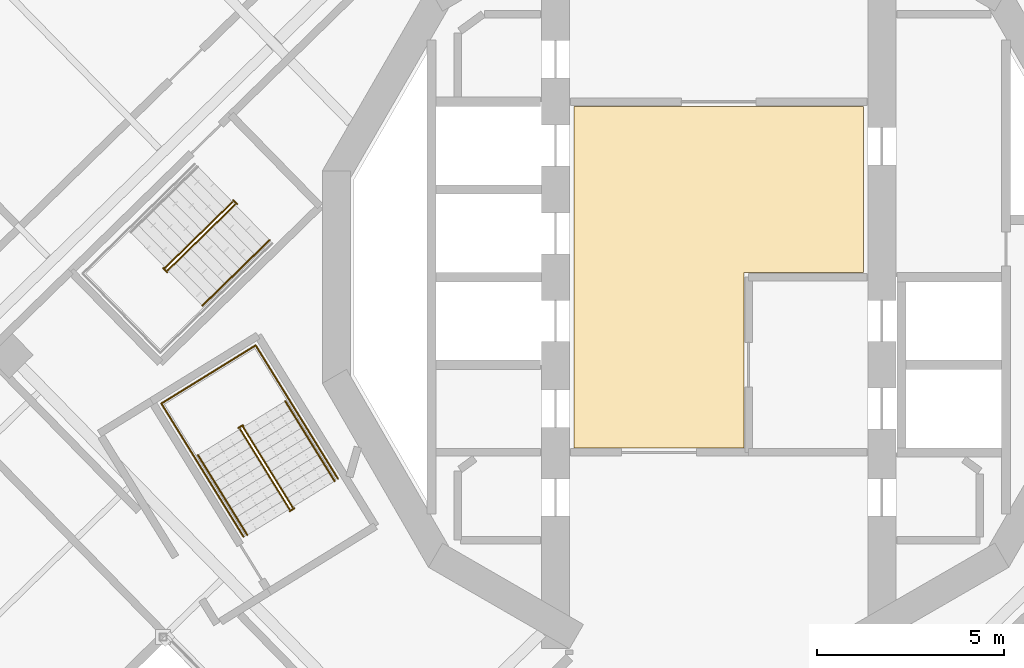
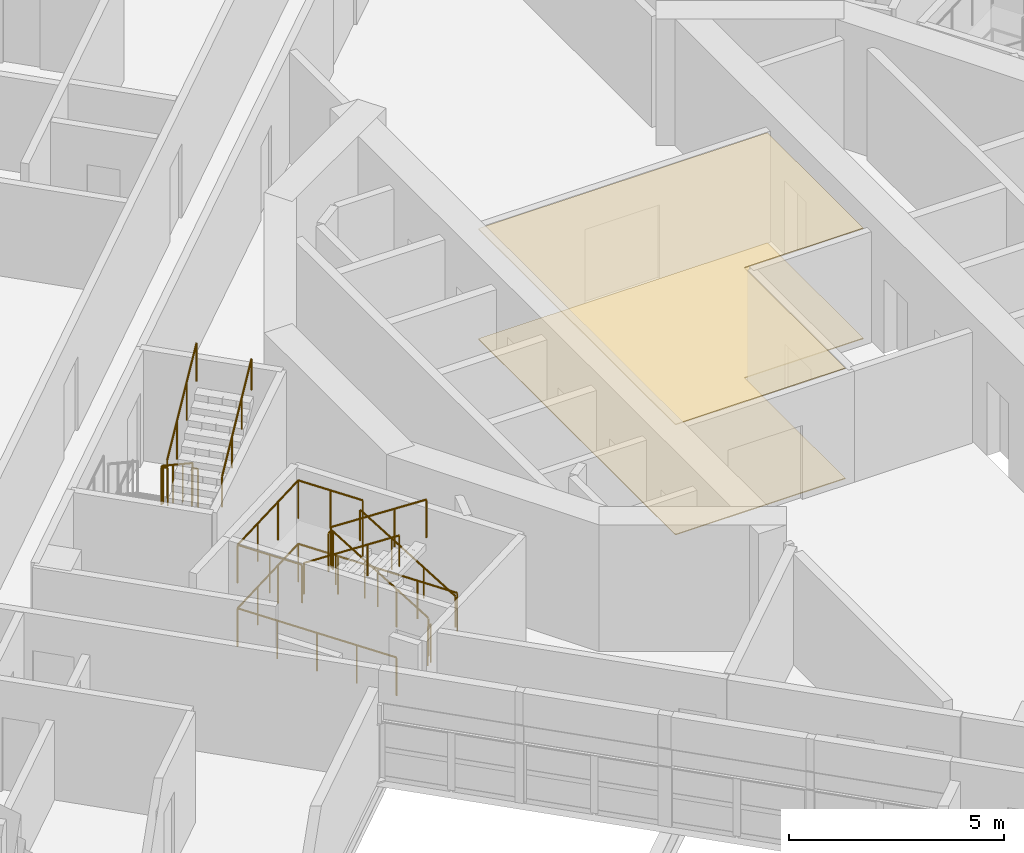
# One storey, part 15 of 19: 11 railings, 2 coverings.
"""IFC4 building model written with IfcOpenShell, lengths in metres."""

from ifc_helpers import new_model, si_unit, direction, frame, origin, origin_2d, place, context, subcontext, project, spatial, polyline, circle, outline, extrude, material, layer, layer_set, type_object, element, save


model = new_model("IFC4")

# Units and contexts
model_context = context("Model", 3, precision=1e-05, world=origin(), true_north=direction((0.0, 1.0)))
body_context = subcontext(model_context, "Body", "Model", "MODEL_VIEW")
ifc_project = project(units=[si_unit("LENGTHUNIT", "METRE"), si_unit("AREAUNIT", "SQUARE_METRE"), si_unit("VOLUMEUNIT", "CUBIC_METRE"), si_unit("PLANEANGLEUNIT", "RADIAN"), si_unit("MASSUNIT", "GRAM", prefix="KILO")], contexts=[model_context])

# Site, building, storey
site_placement = place(None, origin())
site = spatial("IfcSite", under=ifc_project, at=site_placement, CompositionType="ELEMENT")
building_placement = place(site_placement, origin())
building = spatial("IfcBuilding", under=site, at=building_placement, Name="Cantera Rosa Tower", CompositionType="ELEMENT")
storey_placement = place(building_placement, frame((0.0, 0.0, 241.39990234375)))
storey = spatial("IfcBuildingStorey", under=building, at=storey_placement, Name="L53", CompositionType="ELEMENT", Elevation=241.39990234375)

# Railings
ifc_material_1 = material(Name="Steel S355J2 (EN 10025-2)", Category="steel")
railing_type_1 = type_object("IfcRailingType", Name="STAIR GUARD 1100", PredefinedType="GUARDRAIL", material=ifc_material_1)
railing_1_placement = place(storey_placement, frame((-13.032958984375, 2.013427734375, 0.18017578125)))
element("IfcRailing", 1, at=railing_1_placement, inside=storey, type_object=railing_type_1, Name="L53 ST-43 stair guard 1", PredefinedType="GUARDRAIL", context=body_context, shape_type="SweptSolid", body=[
    extrude(circle(Radius=0.02392578125, at=origin_2d()), frame((0.0, 0.0, 1.076171875), z_axis=(-0.60169873645, -0.587844099419, 0.540738333515), x_axis=(0.698823692472, -0.715293958342, 0.0)), (0.0, 0.0, 1.0), 2.99560546875),
    extrude(circle(Radius=0.02392578125, at=origin_2d()), frame((-1.802490234375, -1.760986328125, 2.69580078125), z_axis=(-0.956987977523, -0.290127576896, 0.0), x_axis=(0.290127576896, -0.956987977523, 0.0)), (0.0, 0.0, 1.0), 0.056396484375),
    extrude(circle(Radius=0.02392578125, at=origin_2d()), frame((-1.8564453125, -1.77734375, 2.69580078125), z_axis=(0.698932947801, -0.715187202401, 0.0), x_axis=(0.715187202401, 0.698932947801, 0.0)), (0.0, 0.0, 1.0), 0.150146484375),
    extrude(circle(Radius=0.02099609375, at=origin_2d()), origin(), (0.0, 0.0, 1.0), 1.052001953125),
    extrude(circle(Radius=0.02099609375, at=origin_2d()), frame((-0.600830078125, -0.5869140625, 0.5400390625)), (0.0, 0.0, 1.0), 1.052001953125),
    extrude(circle(Radius=0.02099609375, at=origin_2d()), frame((-1.20166015625, -1.174072265625, 1.079833984375)), (0.0, 0.0, 1.0), 1.052001953125),
    extrude(circle(Radius=0.02099609375, at=origin_2d()), frame((-1.802490234375, -1.760986328125, 1.619873046875)), (0.0, 0.0, 1.0), 1.052001953125),
    extrude(circle(Radius=0.02099609375, at=origin_2d()), frame((-1.8564453125, -1.77734375, 1.619873046875)), (0.0, 0.0, 1.0), 1.052001953125),
    extrude(circle(Radius=0.02099609375, at=origin_2d()), frame((-1.75146484375, -1.884765625, 1.619873046875)), (0.0, 0.0, 1.0), 1.052001953125),
])
railing_2_placement = place(storey_placement, frame((-14.766845703125, 0.182373046875, 1.97998046875)))
element("IfcRailing", 2, at=railing_2_placement, inside=storey, type_object=railing_type_1, Name="L53 ST-43 stair guard 2", PredefinedType="GUARDRAIL", context=body_context, shape_type="SweptSolid", body=[
    extrude(circle(Radius=0.02392578125, at=origin_2d()), frame((0.0, 0.0, 1.076171875), z_axis=(0.601672219931, 0.587818193466, 0.54079599776), x_axis=(-0.698823692472, 0.715293958342, 0.0)), (0.0, 0.0, 1.0), 2.995849609375),
    extrude(circle(Radius=0.02099609375, at=origin_2d()), origin(), (0.0, 0.0, 1.0), 1.052001953125),
    extrude(circle(Radius=0.02099609375, at=origin_2d()), frame((0.600830078125, 0.5869140625, 0.5400390625)), (0.0, 0.0, 1.0), 1.052001953125),
    extrude(circle(Radius=0.02099609375, at=origin_2d()), frame((1.20166015625, 1.174072265625, 1.080078125)), (0.0, 0.0, 1.0), 1.052001953125),
    extrude(circle(Radius=0.02099609375, at=origin_2d()), frame((1.802490234375, 1.760986328125, 1.6201171875)), (0.0, 0.0, 1.0), 1.052001953125),
])
railing_3_placement = place(storey_placement, frame((-13.01513671875, 2.06689453125, 0.0)))
element("IfcRailing", 3, at=railing_3_placement, inside=storey, type_object=railing_type_1, Name="L53 ST-43 stair guard 3", PredefinedType="GUARDRAIL", context=body_context, shape_type="SweptSolid", body=[
    extrude(circle(Radius=0.02392578125, at=origin_2d()), frame((0.0, 0.0, 1.076171875), z_axis=(0.698914008722, -0.715205710557, 0.0), x_axis=(0.715205710557, 0.698914008722, 0.0)), (0.0, 0.0, 1.0), 0.14990234375),
    extrude(circle(Radius=0.02099609375, at=origin_2d()), origin(), (0.0, 0.0, 1.0), 1.052001953125),
    extrude(circle(Radius=0.02099609375, at=origin_2d()), frame((0.104736328125, -0.107177734375, 0.0)), (0.0, 0.0, 1.0), 1.052001953125),
])
railing_4_placement = place(storey_placement, frame((-11.42333984375, -6.165771484375, 0.18017578125)))
element("IfcRailing", 4, at=railing_4_placement, inside=storey, type_object=railing_type_1, Name="L53 ST-44 stair guard 1", PredefinedType="GUARDRAIL", context=body_context, shape_type="SweptSolid", body=[
    extrude(circle(Radius=0.02392578125, at=origin_2d()), frame((0.0, 0.0, 1.076171875), z_axis=(-0.441628529057, 0.715945124149, 0.540728047664), x_axis=(-0.851102330005, -0.524999832248, 0.0)), (0.0, 0.0, 1.0), 2.99560546875),
    extrude(circle(Radius=0.02392578125, at=origin_2d()), frame((-1.322998046875, 2.144775390625, 2.69580078125), z_axis=(-0.073711968402, 0.997279572494, 0.0), x_axis=(-0.997279572494, -0.073711968402, 0.0)), (0.0, 0.0, 1.0), 0.056396484375),
    extrude(circle(Radius=0.02392578125, at=origin_2d()), frame((-1.3271484375, 2.200927734375, 2.69580078125), z_axis=(-0.851546489876, -0.524279100842, 0.0), x_axis=(0.524279100842, -0.851546489876, 0.0)), (0.0, 0.0, 1.0), 0.14990234375),
    extrude(circle(Radius=0.02099609375, at=origin_2d()), origin(), (0.0, 0.0, 1.0), 1.052001953125),
    extrude(circle(Radius=0.02099609375, at=origin_2d()), frame((-0.44091796875, 0.71484375, 0.5400390625)), (0.0, 0.0, 1.0), 1.052001953125),
    extrude(circle(Radius=0.02099609375, at=origin_2d()), frame((-0.882080078125, 1.429931640625, 1.079833984375)), (0.0, 0.0, 1.0), 1.052001953125),
    extrude(circle(Radius=0.02099609375, at=origin_2d()), frame((-1.322998046875, 2.144775390625, 1.619873046875)), (0.0, 0.0, 1.0), 1.052001953125),
    extrude(circle(Radius=0.02099609375, at=origin_2d()), frame((-1.3271484375, 2.200927734375, 1.619873046875)), (0.0, 0.0, 1.0), 1.052001953125),
    extrude(circle(Radius=0.02099609375, at=origin_2d()), frame((-1.454833984375, 2.122314453125, 1.619873046875)), (0.0, 0.0, 1.0), 1.052001953125),
])
railing_5_placement = place(storey_placement, frame((-12.82958984375, -4.072509765625, 1.97998046875)))
element("IfcRailing", 5, at=railing_5_placement, inside=storey, type_object=railing_type_1, Name="L53 ST-44 stair guard 2", PredefinedType="GUARDRAIL", context=body_context, shape_type="SweptSolid", body=[
    extrude(circle(Radius=0.02392578125, at=origin_2d()), frame((0.0, 0.0, 1.076171875), z_axis=(0.44154346381, -0.715939337315, 0.540805172729), x_axis=(0.851145618652, 0.524929648476, 0.0)), (0.0, 0.0, 1.0), 2.995849609375),
    extrude(circle(Radius=0.02099609375, at=origin_2d()), origin(), (0.0, 0.0, 1.0), 1.052001953125),
    extrude(circle(Radius=0.02099609375, at=origin_2d()), frame((0.44091796875, -0.71484375, 0.5400390625)), (0.0, 0.0, 1.0), 1.052001953125),
    extrude(circle(Radius=0.02099609375, at=origin_2d()), frame((0.8818359375, -1.429931640625, 1.080078125)), (0.0, 0.0, 1.0), 1.052001953125),
    extrude(circle(Radius=0.02099609375, at=origin_2d()), frame((1.32275390625, -2.144775390625, 1.6201171875)), (0.0, 0.0, 1.0), 1.052001953125),
])
railing_6_placement = place(storey_placement, frame((-11.375, -6.19482421875, 0.0)))
element("IfcRailing", 6, at=railing_6_placement, inside=storey, type_object=railing_type_1, Name="L53 ST-44 stair guard 3", PredefinedType="GUARDRAIL", context=body_context, shape_type="SweptSolid", body=[
    extrude(circle(Radius=0.02392578125, at=origin_2d()), frame((0.0, 0.0, 1.076171875), z_axis=(-0.851546489876, -0.524279100842, 0.0), x_axis=(0.524279100842, -0.851546489876, 0.0)), (0.0, 0.0, 1.0), 0.14990234375),
    extrude(circle(Radius=0.02099609375, at=origin_2d()), origin(), (0.0, 0.0, 1.0), 1.052001953125),
    extrude(circle(Radius=0.02099609375, at=origin_2d()), frame((-0.127685546875, -0.07861328125, 0.0)), (0.0, 0.0, 1.0), 1.052001953125),
])
railing_7_placement = place(storey_placement, frame((-10.20751953125, -5.40185546875, 0.0)))
element("IfcRailing", 7, at=railing_7_placement, inside=storey, type_object=railing_type_1, Name="L53 ST-44 stair guard 4", PredefinedType="GUARDRAIL", context=body_context, shape_type="SweptSolid", body=[
    extrude(circle(Radius=0.02392578125, at=origin_2d()), frame((0.0, 0.0, 1.076171875), z_axis=(-0.524976478809, 0.851116735059, 0.0), x_axis=(-0.851116735059, -0.524976478809, 0.0)), (0.0, 0.0, 1.0), 4.197998046875),
    extrude(circle(Radius=0.02392578125, at=origin_2d()), frame((-2.203857421875, 3.572998046875, 1.076171875), z_axis=(-0.851132917336, -0.524950242429, 0.0), x_axis=(0.524950242429, -0.851132917336, 0.0)), (0.0, 0.0, 1.0), 2.969970703125),
    extrude(circle(Radius=0.02392578125, at=origin_2d()), frame((-4.731689453125, 2.013916015625, 1.076171875), z_axis=(0.524976478809, -0.851116735059, 0.0), x_axis=(0.851116735059, 0.524976478809, 0.0)), (0.0, 0.0, 1.0), 4.197998046875),
    extrude(circle(Radius=0.02099609375, at=origin_2d()), origin(), (0.0, 0.0, 1.0), 1.052001953125),
    extrude(circle(Radius=0.02099609375, at=origin_2d()), frame((-0.551025390625, 0.893310546875, 0.0)), (0.0, 0.0, 1.0), 1.052001953125),
    extrude(circle(Radius=0.02099609375, at=origin_2d()), frame((-1.10205078125, 1.78662109375, 0.0)), (0.0, 0.0, 1.0), 1.052001953125),
    extrude(circle(Radius=0.02099609375, at=origin_2d()), frame((-1.65283203125, 2.6796875, 0.0)), (0.0, 0.0, 1.0), 1.052001953125),
    extrude(circle(Radius=0.02099609375, at=origin_2d()), frame((-2.203857421875, 3.572998046875, 0.0)), (0.0, 0.0, 1.0), 1.052001953125),
    extrude(circle(Radius=0.02099609375, at=origin_2d()), frame((-3.04638671875, 3.05322265625, 0.0)), (0.0, 0.0, 1.0), 1.052001953125),
    extrude(circle(Radius=0.02099609375, at=origin_2d()), frame((-3.88916015625, 2.53369140625, 0.0)), (0.0, 0.0, 1.0), 1.052001953125),
    extrude(circle(Radius=0.02099609375, at=origin_2d()), frame((-4.731689453125, 2.013916015625, 0.0)), (0.0, 0.0, 1.0), 1.052001953125),
    extrude(circle(Radius=0.02099609375, at=origin_2d()), frame((-4.1806640625, 1.12060546875, 0.0)), (0.0, 0.0, 1.0), 1.052001953125),
    extrude(circle(Radius=0.02099609375, at=origin_2d()), frame((-3.6298828125, 0.2275390625, 0.0)), (0.0, 0.0, 1.0), 1.052001953125),
    extrude(circle(Radius=0.02099609375, at=origin_2d()), frame((-3.078857421875, -0.665771484375, 0.0)), (0.0, 0.0, 1.0), 1.052001953125),
    extrude(circle(Radius=0.02099609375, at=origin_2d()), frame((-2.52783203125, -1.55908203125, 0.0)), (0.0, 0.0, 1.0), 1.052001953125),
])
railing_8_placement = place(storey_placement, frame((-11.517822265625, -3.27734375, 1.800048828125)))
element("IfcRailing", 8, at=railing_8_placement, inside=storey, type_object=railing_type_1, Name="L53 ST-44 stair guard 5", PredefinedType="GUARDRAIL", context=body_context, shape_type="SweptSolid", body=[
    extrude(circle(Radius=0.02392578125, at=origin_2d()), frame((0.0, 0.0, 1.076171875), z_axis=(-0.525025534833, 0.851086474909, 0.0), x_axis=(-0.851086474909, -0.525025534833, 0.0)), (0.0, 0.0, 1.0), 1.701904296875),
    extrude(circle(Radius=0.02392578125, at=origin_2d()), frame((-0.8935546875, 1.448486328125, 1.076171875), z_axis=(-0.851132917336, -0.524950242429, 0.0), x_axis=(0.524950242429, -0.851132917336, 0.0)), (0.0, 0.0, 1.0), 2.969970703125),
    extrude(circle(Radius=0.02392578125, at=origin_2d()), frame((-3.42138671875, -0.110595703125, 1.076171875), z_axis=(0.524961441845, -0.851126009811, 0.0), x_axis=(0.851126009811, 0.524961441845, 0.0)), (0.0, 0.0, 1.0), 1.7021484375),
    extrude(circle(Radius=0.02099609375, at=origin_2d()), origin(), (0.0, 0.0, 1.0), 1.052001953125),
    extrude(circle(Radius=0.02099609375, at=origin_2d()), frame((-0.44677734375, 0.72412109375, 0.0)), (0.0, 0.0, 1.0), 1.052001953125),
    extrude(circle(Radius=0.02099609375, at=origin_2d()), frame((-0.8935546875, 1.448486328125, 0.0)), (0.0, 0.0, 1.0), 1.052001953125),
    extrude(circle(Radius=0.02099609375, at=origin_2d()), frame((-1.736083984375, 0.9287109375, 0.0)), (0.0, 0.0, 1.0), 1.052001953125),
    extrude(circle(Radius=0.02099609375, at=origin_2d()), frame((-2.578857421875, 0.4091796875, 0.0)), (0.0, 0.0, 1.0), 1.052001953125),
    extrude(circle(Radius=0.02099609375, at=origin_2d()), frame((-3.42138671875, -0.110595703125, 0.0)), (0.0, 0.0, 1.0), 1.052001953125),
    extrude(circle(Radius=0.02099609375, at=origin_2d()), frame((-2.974609375, -0.8349609375, 0.0)), (0.0, 0.0, 1.0), 1.052001953125),
    extrude(circle(Radius=0.02099609375, at=origin_2d()), frame((-2.52783203125, -1.559326171875, 0.0)), (0.0, 0.0, 1.0), 1.052001953125),
])
ifc_material_2 = material(Name="Steel S355J2 (EN 10025-2)", Category="steel")
railing_type_2 = type_object("IfcRailingType", Name="STAIR HANDRAIL 900", PredefinedType="HANDRAIL", material=ifc_material_2)
railing_9_placement = place(storey_placement, frame((-13.84033203125, -0.76611328125, 1.97998046875)))
element("IfcRailing", 9, at=railing_9_placement, inside=storey, type_object=railing_type_2, Name="L53 ST-43 stair handrail 2", PredefinedType="HANDRAIL", context=body_context, shape_type="SweptSolid", body=[
    extrude(circle(Radius=0.02392578125, at=origin_2d()), frame((0.0, 0.0, 0.8759765625), z_axis=(0.601724208683, 0.587789371239, 0.540769481151), x_axis=(-0.698775265409, 0.715341267126, 0.0)), (0.0, 0.0, 1.0), 2.995849609375),
    extrude(circle(Radius=0.02099609375, at=origin_2d()), origin(), (0.0, 0.0, 1.0), 0.851806640625),
    extrude(circle(Radius=0.02099609375, at=origin_2d()), frame((0.600830078125, 0.5869140625, 0.5400390625)), (0.0, 0.0, 1.0), 0.851806640625),
    extrude(circle(Radius=0.02099609375, at=origin_2d()), frame((1.201904296875, 1.174072265625, 1.080078125)), (0.0, 0.0, 1.0), 0.851806640625),
    extrude(circle(Radius=0.02099609375, at=origin_2d()), frame((1.802734375, 1.760986328125, 1.6201171875)), (0.0, 0.0, 1.0), 0.851806640625),
])
railing_10_placement = place(storey_placement, frame((-10.294677734375, -5.4697265625, 0.18017578125)))
element("IfcRailing", 10, at=railing_10_placement, inside=storey, type_object=railing_type_2, Name="L53 ST-44 stair handrail 1", PredefinedType="HANDRAIL", context=body_context, shape_type="SweptSolid", body=[
    extrude(circle(Radius=0.02392578125, at=origin_2d()), frame((0.0, 0.0, 0.8759765625), z_axis=(-0.441628529057, 0.715945124149, 0.540728047664), x_axis=(-0.851102330005, -0.524999832248, 0.0)), (0.0, 0.0, 1.0), 2.99560546875),
    extrude(circle(Radius=0.02099609375, at=origin_2d()), origin(), (0.0, 0.0, 1.0), 0.851806640625),
    extrude(circle(Radius=0.02099609375, at=origin_2d()), frame((-0.44091796875, 0.71484375, 0.5400390625)), (0.0, 0.0, 1.0), 0.851806640625),
    extrude(circle(Radius=0.02099609375, at=origin_2d()), frame((-0.882080078125, 1.429931640625, 1.079833984375)), (0.0, 0.0, 1.0), 0.851806640625),
    extrude(circle(Radius=0.02099609375, at=origin_2d()), frame((-1.322998046875, 2.144775390625, 1.619873046875)), (0.0, 0.0, 1.0), 0.851806640625),
])
railing_11_placement = place(storey_placement, frame((-13.958251953125, -4.7685546875, 1.97998046875)))
element("IfcRailing", 11, at=railing_11_placement, inside=storey, type_object=railing_type_2, Name="L53 ST-44 stair handrail 2", PredefinedType="HANDRAIL", context=body_context, shape_type="SweptSolid", body=[
    extrude(circle(Radius=0.02392578125, at=origin_2d()), frame((0.0, 0.0, 0.8759765625), z_axis=(0.441609067481, -0.715913574058, 0.540785711718), x_axis=(0.851102330005, 0.524999832248, 0.0)), (0.0, 0.0, 1.0), 2.995849609375),
    extrude(circle(Radius=0.02099609375, at=origin_2d()), origin(), (0.0, 0.0, 1.0), 0.851806640625),
    extrude(circle(Radius=0.02099609375, at=origin_2d()), frame((0.44091796875, -0.71484375, 0.5400390625)), (0.0, 0.0, 1.0), 0.851806640625),
    extrude(circle(Radius=0.02099609375, at=origin_2d()), frame((0.882080078125, -1.429931640625, 1.080078125)), (0.0, 0.0, 1.0), 0.851806640625),
    extrude(circle(Radius=0.02099609375, at=origin_2d()), frame((1.322998046875, -2.144775390625, 1.6201171875)), (0.0, 0.0, 1.0), 0.851806640625),
])

# Coverings
ifc_material_3 = material(Name="Limestone paving", Category="masonry")
ifc_layer_1 = layer(ifc_material_3, 0.02490234375)
ifc_layer_set_1 = layer_set([ifc_layer_1], Name="STONE FLOOR FINISH 25")
covering_type_1 = type_object("IfcCoveringType", Name="STONE FLOOR FINISH 25", PredefinedType="FLOORING", material=ifc_layer_set_1)
covering_1_placement = place(storey_placement, origin())
element("IfcCovering", 12, at=covering_1_placement, inside=storey, type_object=covering_type_1, Name="STONE FLOOR FINISH L53", PredefinedType="FLOORING", context=body_context, shape_type="SweptSolid", body=[
    extrude(outline(polyline([(3.8798828125, 4.580078125), (3.8798828125, 0.1201171875), (0.679931640625, 0.1201171875), (0.679931640625, -4.580078125), (-3.8798828125, -4.580078125), (-3.8798828125, 4.580078125), (3.8798828125, 4.580078125)])), origin(), (0.0, 0.0, 1.0), 0.025146484375),
])
ifc_material_4 = material(Name="Gypsum ceiling tile")
ifc_layer_2 = layer(ifc_material_4, 0.030029296875)
ifc_layer_set_2 = layer_set([ifc_layer_2], Name="SUSPENDED CEILING 30")
covering_type_2 = type_object("IfcCoveringType", Name="SUSPENDED CEILING 30", PredefinedType="CEILING", material=ifc_layer_set_2)
covering_2_placement = place(storey_placement, frame((0.0, 0.0, 3.1201171875)))
element("IfcCovering", 13, at=covering_2_placement, inside=storey, type_object=covering_type_2, Name="SUSPENDED CEILING L53", PredefinedType="CEILING", context=body_context, shape_type="SweptSolid", body=[
    extrude(outline(polyline([(3.8798828125, 4.580078125), (3.8798828125, 0.1201171875), (0.679931640625, 0.1201171875), (0.679931640625, -4.580078125), (-3.8798828125, -4.580078125), (-3.8798828125, 4.580078125), (3.8798828125, 4.580078125)])), origin(), (0.0, 0.0, 1.0), 0.030029296875),
])

save(model, "model.ifc")
